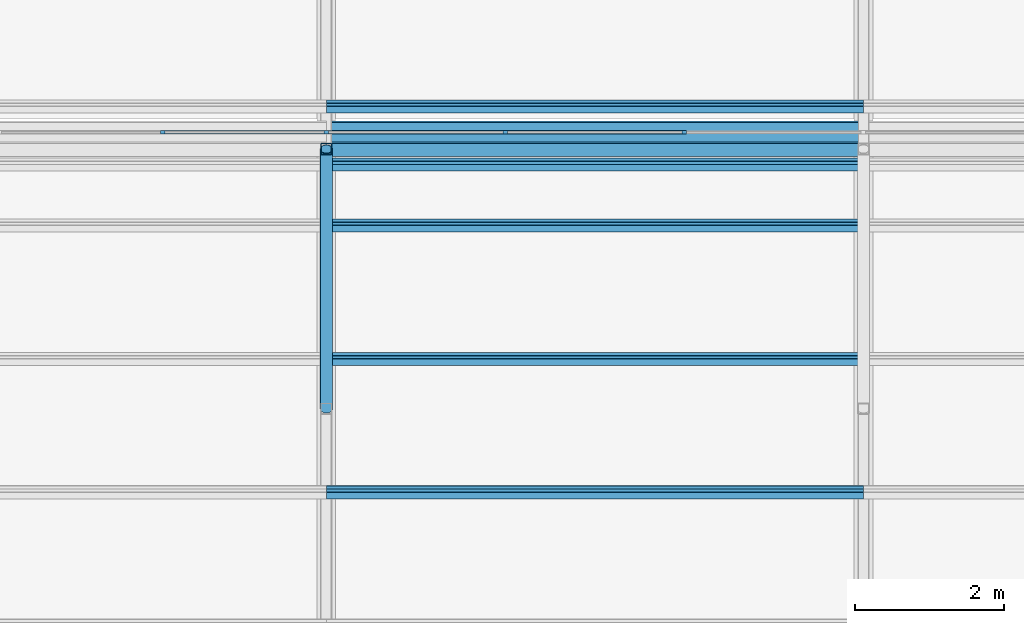
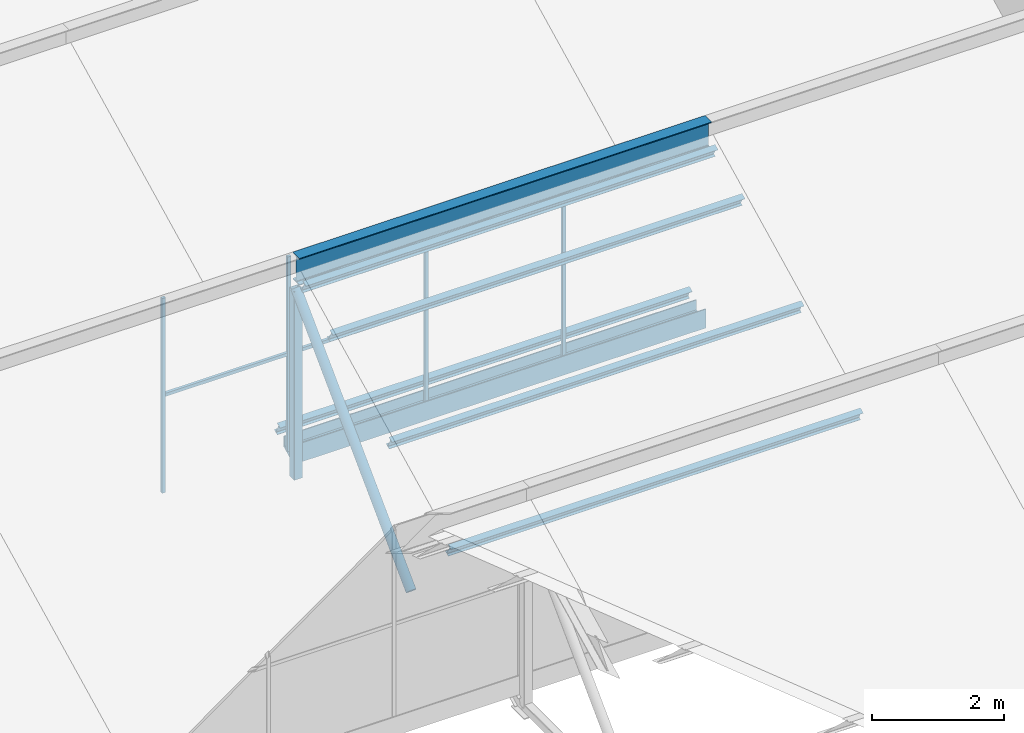
# One storey, part 14 of 83: 16 members, 2 elements without a shape of their own.
"""IFC4 building model written with IfcOpenShell, lengths in metres."""

from ifc_helpers import new_model, si_unit, direction, frame, origin, origin_2d, place, context, subcontext, project, spatial, polyline, rectangle, hollow_rectangle, hollow_circle, i_section, outline, extrude, material, material_profile, profile_set, type_object, element, aggregate, save


model = new_model("IFC4")

# Units and contexts
model_context = context("Model", 3, precision=1e-05, world=origin(), true_north=direction((0.0, 1.0)))
body_context = subcontext(model_context, "Body", "Model", "MODEL_VIEW")
ifc_project = project(units=[si_unit("LENGTHUNIT", "METRE"), si_unit("AREAUNIT", "SQUARE_METRE"), si_unit("VOLUMEUNIT", "CUBIC_METRE"), si_unit("PLANEANGLEUNIT", "RADIAN"), si_unit("MASSUNIT", "GRAM", prefix="KILO")], contexts=[model_context])

# Site, building, storey
site_placement = place(None, origin())
site = spatial("IfcSite", under=ifc_project, at=site_placement, CompositionType="ELEMENT")
building_placement = place(site_placement, origin())
building = spatial("IfcBuilding", under=site, at=building_placement, Name="Silangan Lancet Faculty of Sciences", CompositionType="ELEMENT")
storey_placement = place(building_placement, frame((0.0, 0.0, 11.39990234375)))
storey = spatial("IfcBuildingStorey", under=building, at=storey_placement, Name="L02", CompositionType="ELEMENT", Elevation=11.39990234375)

# Member
ifc_material_1 = material(Name="Steel SS400", Category="steel")
ifc_material_profile_1 = material_profile(ifc_material_1, i_section(OverallWidth=0.199951171875, OverallDepth=0.5, WebThickness=0.010009765625, FlangeThickness=0.01611328125, FilletRadius=0.02001953125, at=origin_2d()), Name="H 500x200x10x16")
ifc_profile_set_1 = profile_set([ifc_material_profile_1], Name="Steel SS400")
member_type_1 = type_object("IfcMemberType", Name="Exposed ridge beam H 500x200x10x16", PredefinedType="MEMBER", material=ifc_profile_set_1)
member_1_placement = place(storey_placement, frame((57.60009765625, 14.1533203125, 3.9326171875), z_axis=(1.0, 0.0, 0.0), x_axis=(0.0, 1.0, 0.0)))
element("IfcMember", 1, at=member_1_placement, inside=storey, type_object=member_type_1, Name="Exposed ridge beam SAB-2-5", PredefinedType="MEMBER", context=body_context, shape_type="SweptSolid", body=[
    extrude(i_section(OverallWidth=0.199951171875, OverallDepth=0.5, WebThickness=0.010009765625, FlangeThickness=0.01611328125, FilletRadius=0.02001953125, at=origin_2d()), origin(), (0.0, 0.0, 1.0), 7.199951171875),
])

# Curtain wall, member
ifc_material_2 = material(Name="Aluminium and laminated glass", Category="aluminium")
curtain_wall_type = type_object("IfcCurtainWallType", Name="North light glazing system", PredefinedType="NOTDEFINED", material=ifc_material_2)
curtain_wall_1_placement = place(storey_placement, origin())
curtain_wall_1 = element("IfcCurtainWall", 2, at=curtain_wall_1_placement, inside=storey, type_object=curtain_wall_type, Name="North light glazing SAB-2-4", PredefinedType="NOTDEFINED")
ifc_material_3 = material(Name="Aluminium 6063-T6", Category="aluminium")
ifc_material_profile_2 = material_profile(ifc_material_3, rectangle(XDim=0.06005859375, YDim=0.050048828125, at=origin_2d()), Name="AL 60x50")
ifc_profile_set_2 = profile_set([ifc_material_profile_2], Name="Aluminium 6063-T6")
member_type_2 = type_object("IfcMemberType", Name="North light mullion 60x50", PredefinedType="MULLION", material=ifc_profile_set_2)
member_2_placement = place(storey_placement, frame((55.408203125, 14.37841796875, 0.4423828125), z_axis=(0.0, 0.0, 1.0), x_axis=(1.0, 0.0, 0.0)))
member_2 = element("IfcMember", 3, at=member_2_placement, type_object=member_type_2, Name="North light mullion SAB-2-4 3", PredefinedType="MULLION", context=body_context, shape_type="SweptSolid", body=[
    extrude(rectangle(XDim=0.06005859375, YDim=0.050048828125, at=origin_2d()), origin(), (0.0, 0.0, 1.0), 3.595947265625),
])

# Curtain wall, members
curtain_wall_2_placement = place(storey_placement, origin())
curtain_wall_2 = element("IfcCurtainWall", 4, at=curtain_wall_2_placement, inside=storey, type_object=curtain_wall_type, Name="North light glazing SAB-2-5", PredefinedType="NOTDEFINED")
member_3_placement = place(storey_placement, frame((57.60009765625, 14.37841796875, 0.4423828125), z_axis=(0.0, 0.0, 1.0), x_axis=(1.0, 0.0, 0.0)))
member_3 = element("IfcMember", 5, at=member_3_placement, type_object=member_type_2, Name="North light mullion SAB-2-5 1", PredefinedType="MULLION", context=body_context, shape_type="SweptSolid", body=[
    extrude(rectangle(XDim=0.06005859375, YDim=0.050048828125, at=origin_2d()), origin(), (0.0, 0.0, 1.0), 3.595947265625),
])
member_4_placement = place(storey_placement, frame((60.0, 14.37841796875, 0.4423828125), z_axis=(0.0, 0.0, 1.0), x_axis=(1.0, 0.0, 0.0)))
member_4 = element("IfcMember", 6, at=member_4_placement, type_object=member_type_2, Name="North light mullion SAB-2-5 2", PredefinedType="MULLION", context=body_context, shape_type="SweptSolid", body=[
    extrude(rectangle(XDim=0.06005859375, YDim=0.050048828125, at=origin_2d()), origin(), (0.0, 0.0, 1.0), 3.595947265625),
])
member_5_placement = place(storey_placement, frame((62.39990234375, 14.37841796875, 0.4423828125), z_axis=(0.0, 0.0, 1.0), x_axis=(1.0, 0.0, 0.0)))
member_5 = element("IfcMember", 7, at=member_5_placement, type_object=member_type_2, Name="North light mullion SAB-2-5 3", PredefinedType="MULLION", context=body_context, shape_type="SweptSolid", body=[
    extrude(rectangle(XDim=0.06005859375, YDim=0.050048828125, at=origin_2d()), origin(), (0.0, 0.0, 1.0), 3.595947265625),
])

# Member
ifc_material_4 = material(Name="Aluminium 6063-T6", Category="aluminium")
ifc_material_profile_3 = material_profile(ifc_material_4, rectangle(XDim=0.050048828125, YDim=0.06005859375, at=origin_2d()), Name="AL 50x60")
ifc_profile_set_3 = profile_set([ifc_material_profile_3], Name="Aluminium 6063-T6")
member_type_3 = type_object("IfcMemberType", Name="North light transom 50x60", PredefinedType="USERDEFINED", material=ifc_profile_set_3)
member_6_placement = place(storey_placement, frame((55.438232421875, 14.37841796875, 2.240478515625), z_axis=(1.0, 0.0, 0.0), x_axis=(0.0, 1.0, 0.0)))
member_6 = element("IfcMember", 8, at=member_6_placement, type_object=member_type_3, Name="North light transom SAB-2-4 3", ObjectType="TRANSOM", PredefinedType="USERDEFINED", context=body_context, shape_type="SweptSolid", body=[
    extrude(rectangle(XDim=0.050048828125, YDim=0.06005859375, at=origin_2d()), origin(), (0.0, 0.0, 1.0), 2.1318359375),
])

aggregate(curtain_wall_1, [member_2, member_6])

member_7_placement = place(storey_placement, frame((57.6298828125, 14.37841796875, 2.240478515625), z_axis=(1.0, 0.0, 0.0), x_axis=(0.0, 1.0, 0.0)))
member_7 = element("IfcMember", 9, at=member_7_placement, type_object=member_type_3, Name="North light transom SAB-2-5 1", ObjectType="TRANSOM", PredefinedType="USERDEFINED", context=body_context, shape_type="SweptSolid", body=[
    extrude(rectangle(XDim=0.050048828125, YDim=0.06005859375, at=origin_2d()), origin(), (0.0, 0.0, 1.0), 2.340087890625),
])

member_8_placement = place(storey_placement, frame((60.030029296875, 14.37841796875, 2.240478515625), z_axis=(1.0, 0.0, 0.0), x_axis=(0.0, 1.0, 0.0)))
member_8 = element("IfcMember", 10, at=member_8_placement, type_object=member_type_3, Name="North light transom SAB-2-5 2", ObjectType="TRANSOM", PredefinedType="USERDEFINED", context=body_context, shape_type="SweptSolid", body=[
    extrude(rectangle(XDim=0.050048828125, YDim=0.06005859375, at=origin_2d()), origin(), (0.0, 0.0, 1.0), 2.340087890625),
])

aggregate(curtain_wall_2, [member_3, member_4, member_5, member_7, member_8])

# Members
ifc_material_5 = material(Name="Steel SS400", Category="steel")
ifc_material_profile_4 = material_profile(ifc_material_5, i_section(OverallWidth=0.10009765625, OverallDepth=0.199951171875, WebThickness=0.005615234375, FlangeThickness=0.008056640625, FilletRadius=0.008056640625, at=origin_2d()), Name="H 200x100x5.5x8")
ifc_profile_set_4 = profile_set([ifc_material_profile_4], Name="Steel SS400")
member_type_4 = type_object("IfcMemberType", Name="Sheeting purlin H 200x100x5.5x8", PredefinedType="PURLIN", material=ifc_profile_set_4)
for number, where, z_axis, x_axis, name in (
    (11, (57.60009765625, 9.55078125, 1.526123046875), (1.0, 0.0, 0.0), (0.0, 0.894427192382, 0.447213592736), "Sheeting purlin SAB-2-5 2"),
    (12, (57.60009765625, 11.339599609375, 2.420654296875), (1.0, 0.0, 0.0), (0.0, 0.894427192382, 0.447213592736), "Sheeting purlin SAB-2-5 3"),
    (13, (57.60009765625, 13.12841796875, 3.31494140625), (1.0, 0.0, 0.0), (0.0, 0.894427192382, 0.447213592736), "Sheeting purlin SAB-2-5 4"),
    (14, (57.60009765625, 13.9453125, 3.723388671875), (1.0, 0.0, 0.0), (0.0, 0.894427192382, 0.447213592736), "Sheeting purlin SAB-2-5 5"),
    (15, (57.60009765625, 14.723388671875, 0.6318359375), (1.0, 0.0, 0.0), (0.0, 0.894427192382, 0.447213592736), "Sheeting purlin SAB-3-5 1"),
):
    element("IfcMember", number, at=place(storey_placement, frame(where, z_axis=z_axis, x_axis=x_axis)), inside=storey, type_object=member_type_4, Name=name, PredefinedType="PURLIN", context=body_context, shape_type="SweptSolid", body=[
        extrude(i_section(OverallWidth=0.10009765625, OverallDepth=0.199951171875, WebThickness=0.005615234375, FlangeThickness=0.008056640625, FilletRadius=0.008056640625, at=origin_2d()), origin(), (0.0, 0.0, 1.0), 7.199951171875),
    ])
ifc_material_6 = material(Name="Steel STK400", Category="steel")
ifc_material_profile_5 = material_profile(ifc_material_6, hollow_circle(Radius=0.08251953125, WallThickness=0.0048828125, at=origin_2d()), Name="CHS 165.2x5.0")
ifc_profile_set_5 = profile_set([ifc_material_profile_5], Name="Steel STK400")
member_type_5 = type_object("IfcMemberType", Name="Truss diagonal CHS 165.2x5.0", PredefinedType="BRACE", material=ifc_profile_set_5)
member_9_placement = place(storey_placement, frame((57.60009765625, 10.672607421875, 0.09521484375), z_axis=(0.0, 0.707106781187, 0.707106781187), x_axis=(-1.0, 0.0, 0.0)))
element("IfcMember", 16, at=member_9_placement, inside=storey, type_object=member_type_5, Name="Truss 5 diagonal 2", PredefinedType="BRACE", context=body_context, shape_type="SweptSolid", body=[
    extrude(hollow_circle(Radius=0.08251953125, WallThickness=0.0048828125, at=origin_2d()), origin(), (0.0, 0.0, 1.0), 4.92236328125),
])
ifc_material_7 = material(Name="Steel STKR400", Category="steel")
ifc_material_profile_6 = material_profile(ifc_material_7, hollow_rectangle(XDim=0.14990234375, YDim=0.14990234375, WallThickness=0.006103515625, InnerFilletRadius=0.006103515625, OuterFilletRadius=0.011962890625, at=origin_2d()), Name="SHS 150x150x6.0")
ifc_profile_set_6 = profile_set([ifc_material_profile_6], Name="Steel STKR400")
member_type_6 = type_object("IfcMemberType", Name="Truss post SHS 150x150x6.0", PredefinedType="POST", material=ifc_profile_set_6)
member_10_placement = place(storey_placement, frame((57.60009765625, 14.1533203125, 0.09521484375), z_axis=(0.0, 0.0, 1.0), x_axis=(1.0, 0.0, 0.0)))
element("IfcMember", 17, at=member_10_placement, inside=storey, type_object=member_type_6, Name="Truss 5 riser post 2", PredefinedType="POST", context=body_context, shape_type="SweptSolid", body=[
    extrude(hollow_rectangle(XDim=0.14990234375, YDim=0.14990234375, WallThickness=0.006103515625, InnerFilletRadius=0.006103515625, OuterFilletRadius=0.011962890625, at=origin_2d()), origin(), (0.0, 0.0, 1.0), 3.480712890625),
])
ifc_material_8 = material(Name="Stainless steel", Category="steel")
ifc_material_profile_7 = material_profile(ifc_material_8, outline(polyline([(-0.14990234375, 0.0), (0.14990234375, 0.14990234375), (0.14990234375, 0.35009765625), (0.1298828125, 0.35009765625), (0.1298828125, 0.169921875), (-0.1298828125, 0.169921875), (-0.1298828125, 0.35009765625), (-0.14990234375, 0.35009765625), (-0.14990234375, 0.0)])), Name="valley gutter")
ifc_profile_set_7 = profile_set([ifc_material_profile_7], Name="Stainless steel")
member_type_7 = type_object("IfcMemberType", Name="Valley gutter 300 wide", PredefinedType="USERDEFINED", material=ifc_profile_set_7)
member_11_placement = place(storey_placement, frame((57.60009765625, 14.37841796875, 0.2724609375), z_axis=(1.0, 0.0, 0.0), x_axis=(0.0, 1.0, 0.0)))
element("IfcMember", 18, at=member_11_placement, inside=storey, type_object=member_type_7, Name="Valley gutter SAB-3-5", ObjectType="GUTTER", PredefinedType="USERDEFINED", context=body_context, shape_type="SweptSolid", body=[
    extrude(outline(polyline([(-0.14990234375, 0.0), (0.14990234375, 0.14990234375), (0.14990234375, 0.35009765625), (0.1298828125, 0.35009765625), (0.1298828125, 0.169921875), (-0.1298828125, 0.169921875), (-0.1298828125, 0.35009765625), (-0.14990234375, 0.35009765625), (-0.14990234375, 0.0)])), origin(), (0.0, 0.0, 1.0), 7.199951171875),
])

save(model, "model.ifc")
